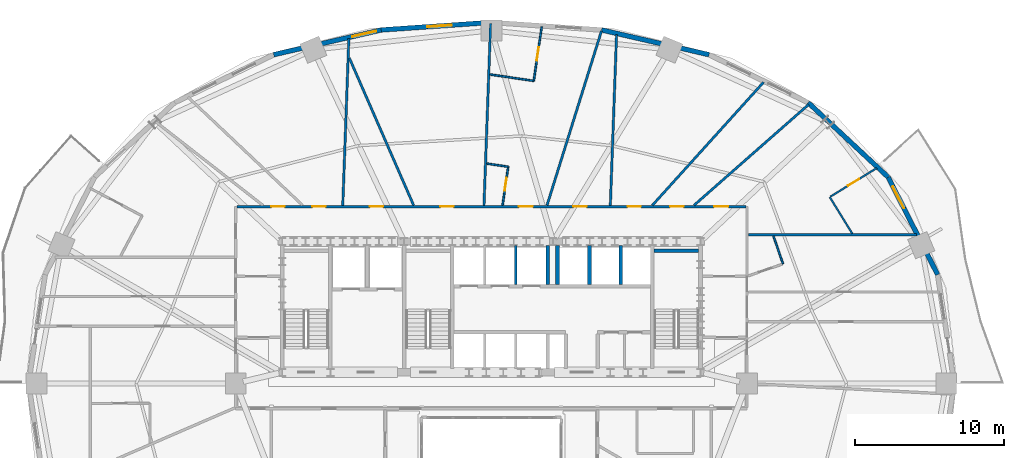
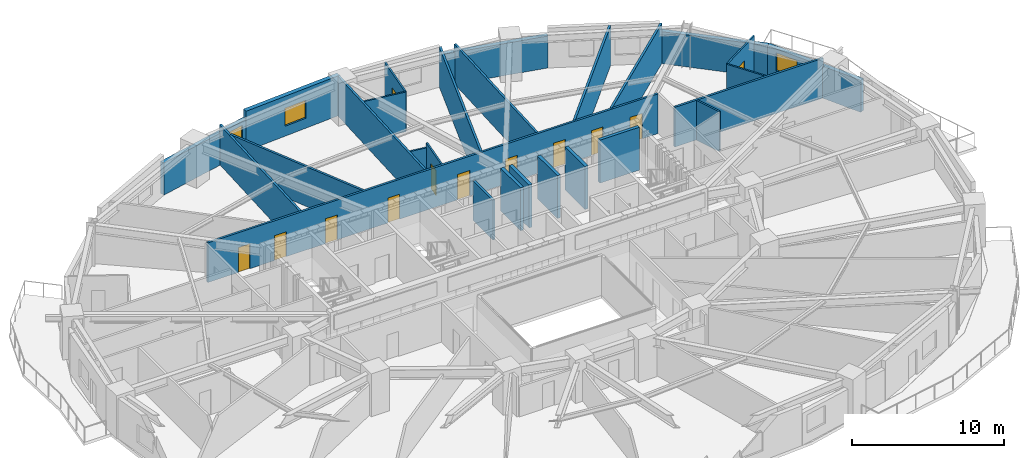
# One storey, part 13 of 18: 27 walls, 12 doors, 3 windows, 15 openings.
"""IFC4 building model written with IfcOpenShell, lengths in metres."""

from ifc_helpers import new_model, si_unit, direction, frame, frame_2d, origin, place, context, subcontext, project, spatial, rectangle, extrude, material, layer, layer_set, type_object, element, fill, save


model = new_model("IFC4")

# Units and contexts
model_context = context("Model", 3, precision=1e-05, world=origin(), true_north=direction((0.0, 1.0)))
body_context = subcontext(model_context, "Body", "Model", "MODEL_VIEW")
ifc_project = project(units=[si_unit("LENGTHUNIT", "METRE"), si_unit("AREAUNIT", "SQUARE_METRE"), si_unit("VOLUMEUNIT", "CUBIC_METRE"), si_unit("PLANEANGLEUNIT", "RADIAN"), si_unit("MASSUNIT", "GRAM", prefix="KILO")], contexts=[model_context])

# Site, building, storey
site_placement = place(None, origin())
site = spatial("IfcSite", under=ifc_project, at=site_placement, CompositionType="ELEMENT")
building_placement = place(site_placement, origin())
building = spatial("IfcBuilding", under=site, at=building_placement, Name="Haldorwick Loom Tower", CompositionType="ELEMENT")
storey_placement = place(building_placement, frame((0.0, 0.0, 48.14990234375)))
storey = spatial("IfcBuildingStorey", under=building, at=storey_placement, Name="L12", CompositionType="ELEMENT", Elevation=48.14990234375)

# Wall, opening, window
ifc_material_1 = material(Name="Pressed Clay Face Brick and Insulated Masonry Backup Assembly", Category="masonry")
ifc_layer_1 = layer(ifc_material_1, 0.320068359375, Name="Pressed Clay Face Brick and Insulated Masonry Backup Assembly", Category="masonry")
ifc_layer_set_1 = layer_set([ifc_layer_1], Name="Pressed Clay Face Brick and Insulated Masonry Backup Assembly")
wall_type_1 = type_object("IfcWallType", Name="ARC-WL-EXT320", PredefinedType="STANDARD", material=ifc_layer_set_1)
wall_1_placement = place(storey_placement, frame((66.021728515625, 33.320556640625, 0.0), z_axis=(0.0, 0.0, 1.0), x_axis=(-0.452950855928, 0.891535485617, 0.0)))
wall_1 = element("IfcWall", 1, at=wall_1_placement, inside=storey, type_object=wall_type_1, Name="L12 Brick Pier and Spandrel Wall 2", PredefinedType="STANDARD", context=body_context, shape_type="SweptSolid", body=[
    extrude(rectangle(XDim=7.3583984375, YDim=0.320068359375, at=frame_2d((3.67919921875, 0.0))), origin(), (0.0, 0.0, 1.0), 2.569091796875),
])
opening_1_placement = place(wall_1_placement, frame((5.00927734375, 0.0, 0.800048828125)))
opening_1 = element("IfcOpeningElement", 2, at=opening_1_placement, cuts=wall_1, Name="Opening W-01B", PredefinedType="OPENING", context=body_context, shape_type="SweptSolid", body=[
    extrude(rectangle(XDim=1.64990234375, YDim=1.449951171875, at=frame_2d((0.824951171875, 0.72509765625))), frame((0.0, 0.169921875, 0.0), z_axis=(0.0, -1.0, 0.0), x_axis=(1.0, 0.0, 0.0)), (0.0, 0.0, 1.0), 0.340087890625),
])
ifc_material_2 = material(Name="Triple-Glazed Low-E Argon Insulated Glazing Unit", Category="glass")
window_type = type_object("IfcWindowType", Name="ARC-WIN-W165", PartitioningType="SINGLE_PANEL", PredefinedType="WINDOW", material=ifc_material_2)
window_1_placement = place(opening_1_placement, origin())
window_1 = element("IfcWindow", 3, at=window_1_placement, inside=storey, type_object=window_type, Name="L12 Deep-Set Zone 7A Window 2", OverallHeight=1.449951171875, OverallWidth=1.64990234375, PartitioningType="SINGLE_PANEL", PredefinedType="WINDOW", context=body_context, shape_type="SweptSolid", body=[
    extrude(rectangle(XDim=1.64990234375, YDim=1.449951171875, at=frame_2d((0.824951171875, 0.72509765625))), frame((0.0, 0.030029296875, 0.0), z_axis=(0.0, -1.0, 0.0), x_axis=(1.0, 0.0, 0.0)), (0.0, 0.0, 1.0), 0.06005859375),
])
fill(opening_1, window_1)

# Walls
wall_2_placement = place(storey_placement, frame((62.688720703125, 39.880859375, 0.0), z_axis=(0.0, 0.0, 1.0), x_axis=(-0.73176101237, 0.681561311091, 0.0)))
element("IfcWall", 4, at=wall_2_placement, inside=storey, type_object=wall_type_1, Name="L12 Brick Pier and Spandrel Wall 3", PredefinedType="STANDARD", context=body_context, shape_type="SweptSolid", body=[
    extrude(rectangle(XDim=7.3583984375, YDim=0.320068359375, at=frame_2d((3.67919921875, 0.0))), origin(), (0.0, 0.0, 1.0), 2.569091796875),
])
wall_3_placement = place(storey_placement, frame((50.644775390625, 48.11572265625, 0.0), z_axis=(0.0, 0.0, 1.0), x_axis=(-0.974522412345, 0.224290142088, 0.0)))
element("IfcWall", 5, at=wall_3_placement, inside=storey, type_object=wall_type_1, Name="L12 Brick Pier and Spandrel Wall 5", PredefinedType="STANDARD", context=body_context, shape_type="SweptSolid", body=[
    extrude(rectangle(XDim=7.422607421875, YDim=0.320068359375, at=frame_2d((3.71142578125, 0.0))), origin(), (0.0, 0.0, 1.0), 2.569091796875),
])

# Wall, opening, window
wall_4_placement = place(storey_placement, frame((36.0, 50.2900390625, 0.0), z_axis=(0.0, 0.0, 1.0), x_axis=(-0.997645161917, -0.068586667092, 0.0)))
wall_4 = element("IfcWall", 6, at=wall_4_placement, inside=storey, type_object=wall_type_1, Name="L12 Brick Pier and Spandrel Wall 7", PredefinedType="STANDARD", context=body_context, shape_type="SweptSolid", body=[
    extrude(rectangle(XDim=7.428955078125, YDim=0.320068359375, at=frame_2d((3.71435546875, 0.0))), origin(), (0.0, 0.0, 1.0), 3.210205078125),
])
opening_2_placement = place(wall_4_placement, frame((2.679443359375, 0.0, 0.800048828125)))
opening_2 = element("IfcOpeningElement", 7, at=opening_2_placement, cuts=wall_4, Name="Opening W-01B", PredefinedType="OPENING", context=body_context, shape_type="SweptSolid", body=[
    extrude(rectangle(XDim=1.64990234375, YDim=1.449951171875, at=frame_2d((0.824951171875, 0.72509765625))), frame((0.0, 0.169921875, 0.0), z_axis=(0.0, -1.0, 0.0), x_axis=(1.0, 0.0, 0.0)), (0.0, 0.0, 1.0), 0.340087890625),
])
window_2_placement = place(opening_2_placement, origin())
window_2 = element("IfcWindow", 8, at=window_2_placement, inside=storey, type_object=window_type, Name="L12 Deep-Set Zone 7A Window 7", OverallHeight=1.449951171875, OverallWidth=1.64990234375, PartitioningType="SINGLE_PANEL", PredefinedType="WINDOW", context=body_context, shape_type="SweptSolid", body=[
    extrude(rectangle(XDim=1.64990234375, YDim=1.449951171875, at=frame_2d((0.824951171875, 0.72509765625))), frame((0.0, 0.030029296875, 0.0), z_axis=(0.0, -1.0, 0.0), x_axis=(1.0, 0.0, 0.0)), (0.0, 0.0, 1.0), 0.06005859375),
])
fill(opening_2, window_2)

wall_5_placement = place(storey_placement, frame((28.588623046875, 49.780517578125, 0.0), z_axis=(0.0, 0.0, 1.0), x_axis=(-0.974522412345, -0.224290142088, 0.0)))
wall_5 = element("IfcWall", 9, at=wall_5_placement, inside=storey, type_object=wall_type_1, Name="L12 Brick Pier and Spandrel Wall 8", PredefinedType="STANDARD", context=body_context, shape_type="SweptSolid", body=[
    extrude(rectangle(XDim=7.422607421875, YDim=0.320068359375, at=frame_2d((3.71142578125, 0.0))), origin(), (0.0, 0.0, 1.0), 2.569091796875),
])
opening_3_placement = place(wall_5_placement, frame((0.340087890625, 0.0, 0.800048828125)))
opening_3 = element("IfcOpeningElement", 10, at=opening_3_placement, cuts=wall_5, Name="Opening W-01B", PredefinedType="OPENING", context=body_context, shape_type="SweptSolid", body=[
    extrude(rectangle(XDim=1.64990234375, YDim=1.449951171875, at=frame_2d((0.824951171875, 0.72509765625))), frame((0.0, 0.169921875, 0.0), z_axis=(0.0, -1.0, 0.0), x_axis=(1.0, 0.0, 0.0)), (0.0, 0.0, 1.0), 0.340087890625),
])
window_3_placement = place(opening_3_placement, origin())
window_3 = element("IfcWindow", 11, at=window_3_placement, inside=storey, type_object=window_type, Name="L12 Deep-Set Zone 7A Window 8", OverallHeight=1.449951171875, OverallWidth=1.64990234375, PartitioningType="SINGLE_PANEL", PredefinedType="WINDOW", context=body_context, shape_type="SweptSolid", body=[
    extrude(rectangle(XDim=1.64990234375, YDim=1.449951171875, at=frame_2d((0.824951171875, 0.72509765625))), frame((0.0, 0.030029296875, 0.0), z_axis=(0.0, -1.0, 0.0), x_axis=(1.0, 0.0, 0.0)), (0.0, 0.0, 1.0), 0.06005859375),
])
fill(opening_3, window_3)

# Wall, openings, doors
ifc_material_3 = material(Name="Fire-Rated Type X Gypsum Stud Assembly EI 60")
ifc_layer_2 = layer(ifc_material_3, 0.159912109375, Name="Fire-Rated Type X Gypsum Stud Assembly EI 60")
ifc_layer_set_2 = layer_set([ifc_layer_2], Name="Fire-Rated Type X Gypsum Stud Assembly EI 60")
wall_type_2 = type_object("IfcWallType", Name="ARC-WL-FIRE160", PredefinedType="PARTITIONING", material=ifc_layer_set_2)
wall_6_placement = place(storey_placement, frame((18.883056640625, 37.89990234375, 0.0), z_axis=(0.0, 0.0, 1.0), x_axis=(1.0, 0.0, 0.0)))
wall_6 = element("IfcWall", 12, at=wall_6_placement, inside=storey, type_object=wall_type_2, Name="L12 Residential Fire Partition L12-CR-N0", PredefinedType="PARTITIONING", context=body_context, shape_type="SweptSolid", body=[
    extrude(rectangle(XDim=34.23388671875, YDim=0.159912109375, at=frame_2d((17.116943359375, 0.0))), origin(), (0.0, 0.0, 1.0), 3.195068359375),
])
opening_4_placement = place(wall_6_placement, frame((13.685302734375, 0.0, 0.0)))
opening_4 = element("IfcOpeningElement", 13, at=opening_4_placement, cuts=wall_6, Name="Opening D-FD60A", PredefinedType="OPENING", context=body_context, shape_type="SweptSolid", body=[
    extrude(rectangle(XDim=0.89990234375, YDim=2.0, at=frame_2d((0.449951171875, 1.0))), frame((0.0, 0.08984375, 0.0), z_axis=(0.0, -1.0, 0.0), x_axis=(1.0, 0.0, 0.0)), (0.0, 0.0, 1.0), 0.179931640625),
])
opening_5_placement = place(wall_6_placement, frame((8.936767578125, 0.0, 0.0)))
opening_5 = element("IfcOpeningElement", 14, at=opening_5_placement, cuts=wall_6, Name="Opening D-FD60A", PredefinedType="OPENING", context=body_context, shape_type="SweptSolid", body=[
    extrude(rectangle(XDim=0.89990234375, YDim=2.0, at=frame_2d((0.449951171875, 1.0))), frame((0.0, 0.08984375, 0.0), z_axis=(0.0, -1.0, 0.0), x_axis=(1.0, 0.0, 0.0)), (0.0, 0.0, 1.0), 0.179931640625),
])
opening_6_placement = place(wall_6_placement, frame((22.63037109375, 0.0, 0.0)))
opening_6 = element("IfcOpeningElement", 15, at=opening_6_placement, cuts=wall_6, Name="Opening D-FD60A", PredefinedType="OPENING", context=body_context, shape_type="SweptSolid", body=[
    extrude(rectangle(XDim=0.89990234375, YDim=2.0, at=frame_2d((0.449951171875, 1.0))), frame((0.0, 0.08984375, 0.0), z_axis=(0.0, -1.0, 0.0), x_axis=(1.0, 0.0, 0.0)), (0.0, 0.0, 1.0), 0.179931640625),
])
opening_7_placement = place(wall_6_placement, frame((32.1025390625, 0.0, 0.0)))
opening_7 = element("IfcOpeningElement", 16, at=opening_7_placement, cuts=wall_6, Name="Opening D-FL95", PredefinedType="OPENING", context=body_context, shape_type="SweptSolid", body=[
    extrude(rectangle(XDim=0.949951171875, YDim=2.0400390625, at=frame_2d((0.47509765625, 1.02001953125))), frame((0.0, 0.08984375, 0.0), z_axis=(0.0, -1.0, 0.0), x_axis=(1.0, 0.0, 0.0)), (0.0, 0.0, 1.0), 0.179931640625),
])
opening_8_placement = place(wall_6_placement, frame((18.961181640625, 0.0, 0.0)))
opening_8 = element("IfcOpeningElement", 17, at=opening_8_placement, cuts=wall_6, Name="Opening D-FL95", PredefinedType="OPENING", context=body_context, shape_type="SweptSolid", body=[
    extrude(rectangle(XDim=0.949951171875, YDim=2.0400390625, at=frame_2d((0.47509765625, 1.02001953125))), frame((0.0, 0.08984375, 0.0), z_axis=(0.0, -1.0, 0.0), x_axis=(1.0, 0.0, 0.0)), (0.0, 0.0, 1.0), 0.179931640625),
])
opening_9_placement = place(wall_6_placement, frame((29.145751953125, 0.0, 0.0)))
opening_9 = element("IfcOpeningElement", 18, at=opening_9_placement, cuts=wall_6, Name="Opening D-FD60A", PredefinedType="OPENING", context=body_context, shape_type="SweptSolid", body=[
    extrude(rectangle(XDim=0.89990234375, YDim=2.0, at=frame_2d((0.449951171875, 1.0))), frame((0.0, 0.08984375, 0.0), z_axis=(0.0, -1.0, 0.0), x_axis=(1.0, 0.0, 0.0)), (0.0, 0.0, 1.0), 0.179931640625),
])
opening_10_placement = place(wall_6_placement, frame((5.071533203125, 0.0, 0.0)))
opening_10 = element("IfcOpeningElement", 19, at=opening_10_placement, cuts=wall_6, Name="Opening D-FD60A", PredefinedType="OPENING", context=body_context, shape_type="SweptSolid", body=[
    extrude(rectangle(XDim=0.89990234375, YDim=2.0, at=frame_2d((0.449951171875, 1.0))), frame((0.0, 0.08984375, 0.0), z_axis=(0.0, -1.0, 0.0), x_axis=(1.0, 0.0, 0.0)), (0.0, 0.0, 1.0), 0.179931640625),
])
opening_11_placement = place(wall_6_placement, frame((26.274658203125, 0.0, 0.0)))
opening_11 = element("IfcOpeningElement", 20, at=opening_11_placement, cuts=wall_6, Name="Opening D-FD60A", PredefinedType="OPENING", context=body_context, shape_type="SweptSolid", body=[
    extrude(rectangle(XDim=0.89990234375, YDim=2.0, at=frame_2d((0.449951171875, 1.0))), frame((0.0, 0.08984375, 0.0), z_axis=(0.0, -1.0, 0.0), x_axis=(1.0, 0.0, 0.0)), (0.0, 0.0, 1.0), 0.179931640625),
])
opening_12_placement = place(wall_6_placement, frame((2.310791015625, 0.0, 0.0)))
opening_12 = element("IfcOpeningElement", 21, at=opening_12_placement, cuts=wall_6, Name="Opening D-FD60A", PredefinedType="OPENING", context=body_context, shape_type="SweptSolid", body=[
    extrude(rectangle(XDim=0.89990234375, YDim=2.0, at=frame_2d((0.449951171875, 1.0))), frame((0.0, 0.08984375, 0.0), z_axis=(0.0, -1.0, 0.0), x_axis=(1.0, 0.0, 0.0)), (0.0, 0.0, 1.0), 0.179931640625),
])
ifc_material_4 = material(Name="Hollow Steel Fire Door Assembly", Category="steel")
door_type_1 = type_object("IfcDoorType", Name="ARC-DR-FD60-90", OperationType="NOTDEFINED", PredefinedType="DOOR", material=ifc_material_4)
door_1_placement = place(opening_4_placement, frame((0.89990234375, 0.0, 0.0), z_axis=(0.0, 0.0, 1.0), x_axis=(-1.0, 0.0, 0.0)))
door_1 = element("IfcDoor", 22, at=door_1_placement, inside=storey, type_object=door_type_1, Name="L12 Community Teaching Classroom 6 to L12 North Residential Corridor Doo", OperationType="SINGLE_SWING_LEFT", OverallHeight=2.0, OverallWidth=0.89990234375, PredefinedType="DOOR", context=body_context, shape_type="SweptSolid", body=[
    extrude(rectangle(XDim=0.89990234375, YDim=2.0, at=frame_2d((0.449951171875, 1.0))), frame((0.0, 0.02490234375, 0.0), z_axis=(0.0, -1.0, 0.0), x_axis=(1.0, 0.0, 0.0)), (0.0, 0.0, 1.0), 0.050048828125),
])
fill(opening_4, door_1)
door_2_placement = place(opening_5_placement, frame((0.89990234375, 0.0, 0.0), z_axis=(0.0, 0.0, 1.0), x_axis=(-1.0, 0.0, 0.0)))
door_2 = element("IfcDoor", 23, at=door_2_placement, inside=storey, type_object=door_type_1, Name="L12 Remote Work Office 9 to L12 North Residential Corridor Door", OperationType="SINGLE_SWING_LEFT", OverallHeight=2.0, OverallWidth=0.89990234375, PredefinedType="DOOR", context=body_context, shape_type="SweptSolid", body=[
    extrude(rectangle(XDim=0.89990234375, YDim=2.0, at=frame_2d((0.449951171875, 1.0))), frame((0.0, 0.02490234375, 0.0), z_axis=(0.0, -1.0, 0.0), x_axis=(1.0, 0.0, 0.0)), (0.0, 0.0, 1.0), 0.050048828125),
])
fill(opening_5, door_2)
door_3_placement = place(opening_6_placement, frame((0.89990234375, 0.0, 0.0), z_axis=(0.0, 0.0, 1.0), x_axis=(-1.0, 0.0, 0.0)))
door_3 = element("IfcDoor", 24, at=door_3_placement, inside=storey, type_object=door_type_1, Name="L12 Remote Work Office 11 to L12 North Residential Corridor Door", OperationType="SINGLE_SWING_RIGHT", OverallHeight=2.0, OverallWidth=0.89990234375, PredefinedType="DOOR", context=body_context, shape_type="SweptSolid", body=[
    extrude(rectangle(XDim=0.89990234375, YDim=2.0, at=frame_2d((0.449951171875, 1.0))), frame((0.0, 0.02490234375, 0.0), z_axis=(0.0, -1.0, 0.0), x_axis=(1.0, 0.0, 0.0)), (0.0, 0.0, 1.0), 0.050048828125),
])
fill(opening_6, door_3)
door_4_placement = place(opening_9_placement, frame((0.89990234375, 0.0, 0.0), z_axis=(0.0, 0.0, 1.0), x_axis=(-1.0, 0.0, 0.0)))
door_4 = element("IfcDoor", 25, at=door_4_placement, inside=storey, type_object=door_type_1, Name="L12 Shared Tea Pantry 22 to L12 North Residential Corridor Door", OperationType="SINGLE_SWING_LEFT", OverallHeight=2.0, OverallWidth=0.89990234375, PredefinedType="DOOR", context=body_context, shape_type="SweptSolid", body=[
    extrude(rectangle(XDim=0.89990234375, YDim=2.0, at=frame_2d((0.449951171875, 1.0))), frame((0.0, 0.02490234375, 0.0), z_axis=(0.0, -1.0, 0.0), x_axis=(1.0, 0.0, 0.0)), (0.0, 0.0, 1.0), 0.050048828125),
])
fill(opening_9, door_4)
door_5_placement = place(opening_10_placement, frame((0.89990234375, 0.0, 0.0), z_axis=(0.0, 0.0, 1.0), x_axis=(-1.0, 0.0, 0.0)))
door_5 = element("IfcDoor", 26, at=door_5_placement, inside=storey, type_object=door_type_1, Name="L12 Community Teaching Classroom 13 to L12 North Residential Corridor Do", OperationType="SINGLE_SWING_RIGHT", OverallHeight=2.0, OverallWidth=0.89990234375, PredefinedType="DOOR", context=body_context, shape_type="SweptSolid", body=[
    extrude(rectangle(XDim=0.89990234375, YDim=2.0, at=frame_2d((0.449951171875, 1.0))), frame((0.0, 0.02490234375, 0.0), z_axis=(0.0, -1.0, 0.0), x_axis=(1.0, 0.0, 0.0)), (0.0, 0.0, 1.0), 0.050048828125),
])
fill(opening_10, door_5)
door_6_placement = place(opening_11_placement, frame((0.89990234375, 0.0, 0.0), z_axis=(0.0, 0.0, 1.0), x_axis=(-1.0, 0.0, 0.0)))
door_6 = element("IfcDoor", 27, at=door_6_placement, inside=storey, type_object=door_type_1, Name="L12 Community Teaching Classroom 14 to L12 North Residential Corridor Do", OperationType="SINGLE_SWING_LEFT", OverallHeight=2.0, OverallWidth=0.89990234375, PredefinedType="DOOR", context=body_context, shape_type="SweptSolid", body=[
    extrude(rectangle(XDim=0.89990234375, YDim=2.0, at=frame_2d((0.449951171875, 1.0))), frame((0.0, 0.02490234375, 0.0), z_axis=(0.0, -1.0, 0.0), x_axis=(1.0, 0.0, 0.0)), (0.0, 0.0, 1.0), 0.050048828125),
])
fill(opening_11, door_6)
door_7_placement = place(opening_12_placement, frame((0.89990234375, 0.0, 0.0), z_axis=(0.0, 0.0, 1.0), x_axis=(-1.0, 0.0, 0.0)))
door_7 = element("IfcDoor", 28, at=door_7_placement, inside=storey, type_object=door_type_1, Name="L12 Shared Tea Pantry 20 to L12 North Residential Corridor Door", OperationType="SINGLE_SWING_RIGHT", OverallHeight=2.0, OverallWidth=0.89990234375, PredefinedType="DOOR", context=body_context, shape_type="SweptSolid", body=[
    extrude(rectangle(XDim=0.89990234375, YDim=2.0, at=frame_2d((0.449951171875, 1.0))), frame((0.0, 0.02490234375, 0.0), z_axis=(0.0, -1.0, 0.0), x_axis=(1.0, 0.0, 0.0)), (0.0, 0.0, 1.0), 0.050048828125),
])
fill(opening_12, door_7)
ifc_material_5 = material(Name="Solid Core Birch Architectural Door")
door_type_2 = type_object("IfcDoorType", Name="ARC-DR-FLAT95", OperationType="NOTDEFINED", PredefinedType="DOOR", material=ifc_material_5)
door_8_placement = place(opening_7_placement, frame((0.949951171875, 0.0, 0.0), z_axis=(0.0, 0.0, 1.0), x_axis=(-1.0, 0.0, 0.0)))
door_8 = element("IfcDoor", 29, at=door_8_placement, inside=storey, type_object=door_type_2, Name="L12 Unit 12E Kitchen and Studio Living Room to L12 North Residential Cor", OperationType="SINGLE_SWING_RIGHT", OverallHeight=2.0400390625, OverallWidth=0.949951171875, PredefinedType="DOOR", context=body_context, shape_type="SweptSolid", body=[
    extrude(rectangle(XDim=0.949951171875, YDim=2.0400390625, at=frame_2d((0.47509765625, 1.02001953125))), frame((0.0, 0.02490234375, 0.0), z_axis=(0.0, -1.0, 0.0), x_axis=(1.0, 0.0, 0.0)), (0.0, 0.0, 1.0), 0.050048828125),
])
fill(opening_7, door_8)
door_9_placement = place(opening_8_placement, frame((0.949951171875, 0.0, 0.0), z_axis=(0.0, 0.0, 1.0), x_axis=(-1.0, 0.0, 0.0)))
door_9 = element("IfcDoor", 30, at=door_9_placement, inside=storey, type_object=door_type_2, Name="L12 Unit 12G Kitchen and Living Room to L12 North Residential Corridor D", OperationType="SINGLE_SWING_RIGHT", OverallHeight=2.0400390625, OverallWidth=0.949951171875, PredefinedType="DOOR", context=body_context, shape_type="SweptSolid", body=[
    extrude(rectangle(XDim=0.949951171875, YDim=2.0400390625, at=frame_2d((0.47509765625, 1.02001953125))), frame((0.0, 0.02490234375, 0.0), z_axis=(0.0, -1.0, 0.0), x_axis=(1.0, 0.0, 0.0)), (0.0, 0.0, 1.0), 0.050048828125),
])
fill(opening_8, door_9)

# Walls
wall_7_placement = place(storey_placement, frame((26.0029296875, 37.98291015625, 0.0), z_axis=(0.0, 0.0, 1.0), x_axis=(0.036390507354, 0.999337646131, 0.0)))
element("IfcWall", 31, at=wall_7_placement, inside=storey, type_object=wall_type_2, Name="L12 Residential Fire Partition L12-UPN-12", PredefinedType="PARTITIONING", context=body_context, shape_type="SweptSolid", body=[
    extrude(rectangle(XDim=11.2373046875, YDim=0.159912109375, at=frame_2d((5.61865234375, 0.0))), origin(), (0.0, 0.0, 1.0), 3.195068359375),
])
wall_8_placement = place(storey_placement, frame((35.5029296875, 37.98291015625, 0.0), z_axis=(0.0, 0.0, 1.0), x_axis=(0.036382694768, 0.999337930593, 0.0)))
element("IfcWall", 32, at=wall_8_placement, inside=storey, type_object=wall_type_2, Name="L12 Residential Fire Partition L12-UPN-13", PredefinedType="PARTITIONING", context=body_context, shape_type="SweptSolid", body=[
    extrude(rectangle(XDim=12.246337890625, YDim=0.159912109375, at=frame_2d((6.123046875, 0.0))), origin(), (0.0, 0.0, 1.0), 3.195068359375),
])
wall_9_placement = place(storey_placement, frame((44.0029296875, 37.98291015625, 0.0), z_axis=(0.0, 0.0, 1.0), x_axis=(0.036368899796, 0.999338432728, 0.0)))
element("IfcWall", 33, at=wall_9_placement, inside=storey, type_object=wall_type_2, Name="L12 Residential Fire Partition L12-UPN-14", PredefinedType="PARTITIONING", context=body_context, shape_type="SweptSolid", body=[
    extrude(rectangle(XDim=11.505859375, YDim=0.159912109375, at=frame_2d((5.7529296875, 0.0))), origin(), (0.0, 0.0, 1.0), 3.195068359375),
])
wall_10_placement = place(storey_placement, frame((53.282958984375, 36.0, 0.0), z_axis=(0.0, 0.0, 1.0), x_axis=(1.0, 0.0, 0.0)))
element("IfcWall", 34, at=wall_10_placement, inside=storey, type_object=wall_type_2, Name="L12 Residential Fire Partition L12-FLE-18", PredefinedType="PARTITIONING", context=body_context, shape_type="SweptSolid", body=[
    extrude(rectangle(XDim=11.3046875, YDim=0.159912109375, at=frame_2d((5.65234375, 0.0))), origin(), (0.0, 0.0, 1.0), 3.195068359375),
])
wall_11_placement = place(storey_placement, frame((49.6298828125, 37.98291015625, 0.0), z_axis=(0.0, 0.0, 1.0), x_axis=(0.75101886285, 0.660280749109, 0.0)))
element("IfcWall", 35, at=wall_11_placement, inside=storey, type_object=wall_type_2, Name="L12 Suite Split Wall", PredefinedType="PARTITIONING", context=body_context, shape_type="SweptSolid", body=[
    extrude(rectangle(XDim=10.275390625, YDim=0.159912109375, at=frame_2d((5.1376953125, 0.0))), origin(), (0.0, 0.0, 1.0), 3.195068359375),
])
wall_12_placement = place(storey_placement, frame((30.7705078125, 37.98291015625, 0.0), z_axis=(0.0, 0.0, 1.0), x_axis=(-0.399972741416, 0.91652703513, 0.0)))
element("IfcWall", 36, at=wall_12_placement, inside=storey, type_object=wall_type_2, Name="L12 Suite Split Wall", PredefinedType="PARTITIONING", context=body_context, shape_type="SweptSolid", body=[
    extrude(rectangle(XDim=10.81005859375, YDim=0.159912109375, at=frame_2d((5.405029296875, 0.0))), origin(), (0.0, 0.0, 1.0), 3.195068359375),
])
wall_13_placement = place(storey_placement, frame((39.742919921875, 37.98291015625, 0.0), z_axis=(0.0, 0.0, 1.0), x_axis=(0.298120035283, 0.954528388558, 0.0)))
element("IfcWall", 37, at=wall_13_placement, inside=storey, type_object=wall_type_2, Name="L12 Suite Split Wall", PredefinedType="PARTITIONING", context=body_context, shape_type="SweptSolid", body=[
    extrude(rectangle(XDim=12.29052734375, YDim=0.159912109375, at=frame_2d((6.145263671875, 0.0))), origin(), (0.0, 0.0, 1.0), 3.195068359375),
])
wall_14_placement = place(storey_placement, frame((46.827880859375, 37.98291015625, 0.0), z_axis=(0.0, 0.0, 1.0), x_axis=(0.670436929303, 0.741966524734, 0.0)))
element("IfcWall", 38, at=wall_14_placement, inside=storey, type_object=wall_type_2, Name="L12 Suite Split Wall", PredefinedType="PARTITIONING", context=body_context, shape_type="SweptSolid", body=[
    extrude(rectangle(XDim=11.167724609375, YDim=0.159912109375, at=frame_2d((5.583984375, 0.0))), origin(), (0.0, 0.0, 1.0), 3.195068359375),
])
ifc_material_6 = material(Name="Acoustic Gypsum Stud Assembly STC 55")
ifc_layer_3 = layer(ifc_material_6, 0.1201171875, Name="Acoustic Gypsum Stud Assembly STC 55")
ifc_layer_set_3 = layer_set([ifc_layer_3], Name="Acoustic Gypsum Stud Assembly STC 55")
wall_type_3 = type_object("IfcWallType", Name="ARC-WL-PART120", PredefinedType="PARTITIONING", material=ifc_layer_set_3)
wall_15_placement = place(storey_placement, frame((55.62060546875, 34.037353515625, 0.0), z_axis=(0.0, 0.0, 1.0), x_axis=(-0.325021407857, 0.945706658766, 0.0)))
element("IfcWall", 39, at=wall_15_placement, inside=storey, type_object=wall_type_3, Name="L12 Unit 12C Interior Partition", PredefinedType="PARTITIONING", context=body_context, shape_type="SweptSolid", body=[
    extrude(rectangle(XDim=1.987548828125, YDim=0.1201171875, at=frame_2d((0.99365234375, 0.0))), origin(), (0.0, 0.0, 1.0), 3.195068359375),
])
wall_16_placement = place(storey_placement, frame((60.2763671875, 36.0830078125, 0.0), z_axis=(0.0, 0.0, 1.0), x_axis=(-0.524795751414, 0.851228182862, 0.0)))
element("IfcWall", 40, at=wall_16_placement, inside=storey, type_object=wall_type_3, Name="L12 Unit 12E Interior Partition", PredefinedType="PARTITIONING", context=body_context, shape_type="SweptSolid", body=[
    extrude(rectangle(XDim=2.88623046875, YDim=0.1201171875, at=frame_2d((1.443115234375, 0.0))), origin(), (0.0, 0.0, 1.0), 3.195068359375),
])

# Wall, opening, door
wall_17_placement = place(storey_placement, frame((58.8154296875, 38.57275390625, 0.0), z_axis=(0.0, 0.0, 1.0), x_axis=(0.851250755526, 0.524759136382, 0.0)))
wall_17 = element("IfcWall", 41, at=wall_17_placement, inside=storey, type_object=wall_type_3, Name="L12 Unit 12E Interior Partition", PredefinedType="PARTITIONING", context=body_context, shape_type="SweptSolid", body=[
    extrude(rectangle(XDim=3.663330078125, YDim=0.1201171875, at=frame_2d((1.83154296875, 0.0))), origin(), (0.0, 0.0, 1.0), 3.195068359375),
])
opening_13_placement = place(wall_17_placement, frame((1.3916015625, 0.0, 0.0)))
opening_13 = element("IfcOpeningElement", 42, at=opening_13_placement, cuts=wall_17, Name="Opening D-BT88", PredefinedType="OPENING", context=body_context, shape_type="SweptSolid", body=[
    extrude(rectangle(XDim=0.8798828125, YDim=2.02001953125, at=frame_2d((0.43994140625, 1.010009765625))), frame((0.0, 0.070068359375, 0.0), z_axis=(0.0, -1.0, 0.0), x_axis=(1.0, 0.0, 0.0)), (0.0, 0.0, 1.0), 0.14013671875),
])
door_type_3 = type_object("IfcDoorType", Name="ARC-DR-BATH88", OperationType="NOTDEFINED", PredefinedType="DOOR", material=ifc_material_5)
door_10_placement = place(opening_13_placement, origin())
door_10 = element("IfcDoor", 43, at=door_10_placement, inside=storey, type_object=door_type_3, Name="L12 Unit 12E Kitchen and Studio Living Room to Unit 12E Bathroom Door", OperationType="SINGLE_SWING_LEFT", OverallHeight=2.02001953125, OverallWidth=0.8798828125, PredefinedType="DOOR", context=body_context, shape_type="SweptSolid", body=[
    extrude(rectangle(XDim=0.8798828125, YDim=2.02001953125, at=frame_2d((0.43994140625, 1.010009765625))), frame((0.0, 0.02490234375, 0.0), z_axis=(0.0, -1.0, 0.0), x_axis=(1.0, 0.0, 0.0)), (0.0, 0.0, 1.0), 0.050048828125),
])
fill(opening_13, door_10)

# Wall
wall_18_placement = place(storey_placement, frame((37.133544921875, 40.577392578125, 0.0), z_axis=(0.0, 0.0, 1.0), x_axis=(-0.989325147552, 0.145724920383, 0.0)))
element("IfcWall", 44, at=wall_18_placement, inside=storey, type_object=wall_type_3, Name="L12 Unit 12G Interior Partition", PredefinedType="PARTITIONING", context=body_context, shape_type="SweptSolid", body=[
    extrude(rectangle(XDim=1.4609375, YDim=0.1201171875, at=frame_2d((0.73046875, 0.0))), origin(), (0.0, 0.0, 1.0), 2.8271484375),
])

# Wall, opening, door
wall_19_placement = place(storey_placement, frame((36.75146484375, 37.98291015625, 0.0), z_axis=(0.0, 0.0, 1.0), x_axis=(0.145694998844, 0.989329554452, 0.0)))
wall_19 = element("IfcWall", 45, at=wall_19_placement, inside=storey, type_object=wall_type_3, Name="L12 Unit 12G Interior Partition", PredefinedType="PARTITIONING", context=body_context, shape_type="SweptSolid", body=[
    extrude(rectangle(XDim=2.62255859375, YDim=0.1201171875, at=frame_2d((1.311279296875, 0.0))), origin(), (0.0, 0.0, 1.0), 3.195068359375),
])
opening_14_placement = place(wall_19_placement, frame((0.9892578125, 0.0, 0.0)))
opening_14 = element("IfcOpeningElement", 46, at=opening_14_placement, cuts=wall_19, Name="Opening D-BT88", PredefinedType="OPENING", context=body_context, shape_type="SweptSolid", body=[
    extrude(rectangle(XDim=0.8798828125, YDim=2.02001953125, at=frame_2d((0.43994140625, 1.010009765625))), frame((0.0, 0.070068359375, 0.0), z_axis=(0.0, -1.0, 0.0), x_axis=(1.0, 0.0, 0.0)), (0.0, 0.0, 1.0), 0.14013671875),
])
door_11_placement = place(opening_14_placement, origin())
door_11 = element("IfcDoor", 47, at=door_11_placement, inside=storey, type_object=door_type_3, Name="L12 Unit 12G Bathroom to Unit 12G Kitchen and Living Room Door", OperationType="SINGLE_SWING_RIGHT", OverallHeight=2.02001953125, OverallWidth=0.8798828125, PredefinedType="DOOR", context=body_context, shape_type="SweptSolid", body=[
    extrude(rectangle(XDim=0.8798828125, YDim=2.02001953125, at=frame_2d((0.43994140625, 1.010009765625))), frame((0.0, 0.02490234375, 0.0), z_axis=(0.0, -1.0, 0.0), x_axis=(1.0, 0.0, 0.0)), (0.0, 0.0, 1.0), 0.050048828125),
])
fill(opening_14, door_11)

# Wall
wall_20_placement = place(storey_placement, frame((38.8505859375, 46.352783203125, 0.0), z_axis=(0.0, 0.0, 1.0), x_axis=(-0.989316370955, 0.145784492179, 0.0)))
element("IfcWall", 48, at=wall_20_placement, inside=storey, type_object=wall_type_3, Name="L12 Unit 12G Interior Partition", PredefinedType="PARTITIONING", context=body_context, shape_type="SweptSolid", body=[
    extrude(rectangle(XDim=2.975830078125, YDim=0.1201171875, at=frame_2d((1.48779296875, 0.0))), origin(), (0.0, 0.0, 1.0), 3.195068359375),
])

# Wall, opening, door
wall_21_placement = place(storey_placement, frame((38.8505859375, 46.352783203125, 0.0), z_axis=(0.0, 0.0, 1.0), x_axis=(0.145750026983, 0.989321449092, 0.0)))
wall_21 = element("IfcWall", 49, at=wall_21_placement, inside=storey, type_object=wall_type_3, Name="L12 Unit 12G Interior Partition", PredefinedType="PARTITIONING", context=body_context, shape_type="SweptSolid", body=[
    extrude(rectangle(XDim=3.678466796875, YDim=0.1201171875, at=frame_2d((1.83935546875, 0.0))), origin(), (0.0, 0.0, 1.0), 3.195068359375),
])
opening_15_placement = place(wall_21_placement, frame((1.38916015625, 0.0, 0.0)))
opening_15 = element("IfcOpeningElement", 50, at=opening_15_placement, cuts=wall_21, Name="Opening D-IN90", PredefinedType="OPENING", context=body_context, shape_type="SweptSolid", body=[
    extrude(rectangle(XDim=0.89990234375, YDim=2.0400390625, at=frame_2d((0.449951171875, 1.02001953125))), frame((0.0, 0.070068359375, 0.0), z_axis=(0.0, -1.0, 0.0), x_axis=(1.0, 0.0, 0.0)), (0.0, 0.0, 1.0), 0.14013671875),
])
door_type_4 = type_object("IfcDoorType", Name="ARC-DR-INT90", OperationType="NOTDEFINED", PredefinedType="DOOR", material=ifc_material_5)
door_12_placement = place(opening_15_placement, origin())
door_12 = element("IfcDoor", 51, at=door_12_placement, inside=storey, type_object=door_type_4, Name="L12 Unit 12G Bedroom 1 to Unit 12G Kitchen and Living Room Door", OperationType="SINGLE_SWING_RIGHT", OverallHeight=2.0400390625, OverallWidth=0.89990234375, PredefinedType="DOOR", context=body_context, shape_type="SweptSolid", body=[
    extrude(rectangle(XDim=0.89990234375, YDim=2.0400390625, at=frame_2d((0.449951171875, 1.02001953125))), frame((0.0, 0.02490234375, 0.0), z_axis=(0.0, -1.0, 0.0), x_axis=(1.0, 0.0, 0.0)), (0.0, 0.0, 1.0), 0.050048828125),
])
fill(opening_15, door_12)

# Walls
ifc_material_7 = material(Name="Fire-Rated Type X Gypsum Stud Assembly EI 120")
ifc_layer_4 = layer(ifc_material_7, 0.1650390625, Name="Fire-Rated Type X Gypsum Stud Assembly EI 120")
ifc_layer_set_4 = layer_set([ifc_layer_4], Name="Fire-Rated Type X Gypsum Stud Assembly EI 120")
wall_type_4 = type_object("IfcWallType", Name="ARC-WL-SHAFT160", PredefinedType="MOVABLE", material=ifc_layer_set_4)
wall_22_placement = place(storey_placement, frame((37.64990234375, 32.673095703125, 0.0), z_axis=(0.0, 0.0, 1.0), x_axis=(0.0, 1.0, 0.0)))
element("IfcWall", 52, at=wall_22_placement, inside=storey, type_object=wall_type_4, Name="L12 Low-Rise Hoistway Divider 2", PredefinedType="MOVABLE", context=body_context, shape_type="SweptSolid", body=[
    extrude(rectangle(XDim=2.6240234375, YDim=0.159912109375, at=frame_2d((1.31201171875, 0.0))), origin(), (0.0, 0.0, 1.0), 3.195068359375),
])
ifc_material_8 = material(Name="Concrete C50 (50 MPa)", Category="concrete")
ifc_layer_5 = layer(ifc_material_8, 0.239990234375, Name="Concrete C50 (50 MPa)", Category="concrete")
ifc_layer_set_5 = layer_set([ifc_layer_5], Name="Concrete C50 (50 MPa)")
wall_type_5 = type_object("IfcWallType", Name="STR-WL-SHAFT240", PredefinedType="SHEAR", material=ifc_layer_set_5)
wall_23_placement = place(storey_placement, frame((46.952880859375, 34.919921875, 0.0), z_axis=(0.0, 0.0, 1.0), x_axis=(1.0, 0.0, 0.0)))
element("IfcWall", 53, at=wall_23_placement, inside=storey, type_object=wall_type_5, Name="L12 Core Shear Wall 4N", PredefinedType="SHEAR", context=body_context, shape_type="SweptSolid", body=[
    extrude(rectangle(XDim=2.994140625, YDim=0.239990234375, at=frame_2d((1.4970703125, 0.0))), origin(), (0.0, 0.0, 1.0), 3.4501953125),
])
for number, where, z_axis, x_axis, name in (
    (54, (39.800048828125, 32.673095703125, 0.0), (0.0, 0.0, 1.0), (0.0, 1.0, 0.0), "L12 Core Shear Wall LHW"),
    (55, (40.449951171875, 32.673095703125, 0.0), (0.0, 0.0, 1.0), (0.0, 1.0, 0.0), "L12 Core Shear Wall H0"),
    (56, (42.60009765625, 32.673095703125, 0.0), (0.0, 0.0, 1.0), (0.0, 1.0, 0.0), "L12 Core Shear Wall H1"),
    (57, (44.699951171875, 32.673095703125, 0.0), (0.0, 0.0, 1.0), (0.0, 1.0, 0.0), "L12 Core Shear Wall H2"),
):
    element("IfcWall", number, at=place(storey_placement, frame(where, z_axis=z_axis, x_axis=x_axis)), inside=storey, type_object=wall_type_5, Name=name, PredefinedType="SHEAR", context=body_context, shape_type="SweptSolid", body=[
        extrude(rectangle(XDim=2.6240234375, YDim=0.239990234375, at=frame_2d((1.31201171875, 0.0))), origin(), (0.0, 0.0, 1.0), 3.4501953125),
    ])

save(model, "model.ifc")
